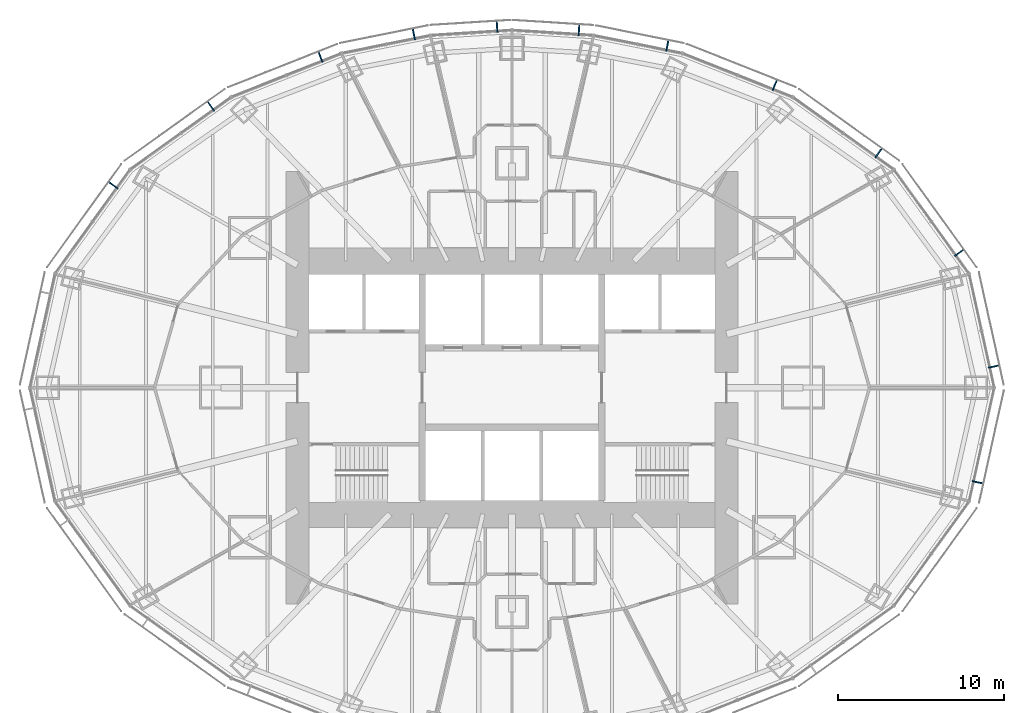
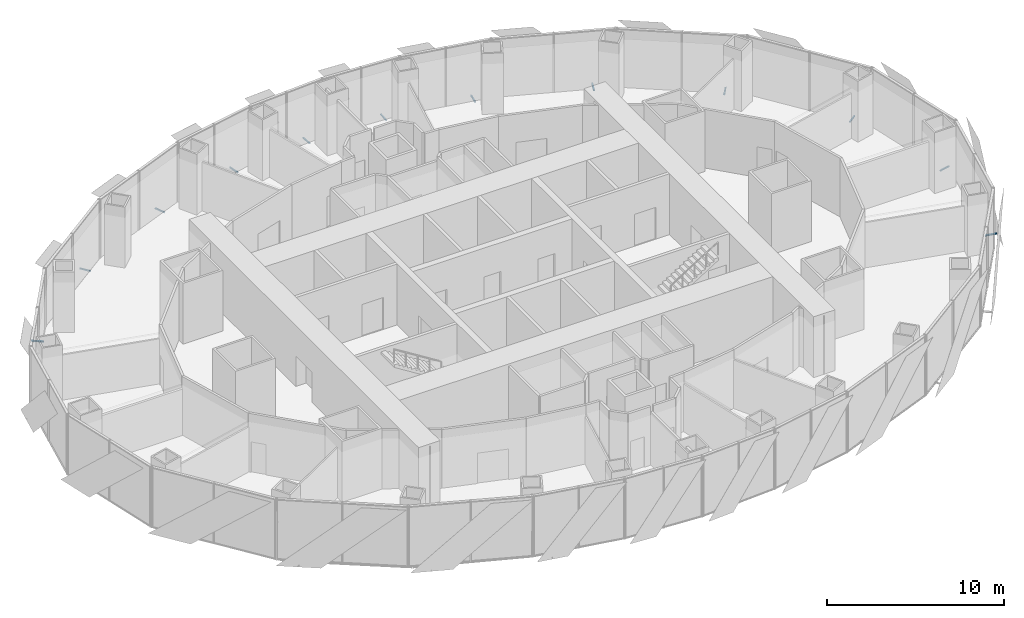
# One storey, part 14 of 17: 12 discrete accessories.
"""IFC4 building model written with IfcOpenShell, lengths in metres."""

from ifc_helpers import new_model, si_unit, direction, frame, origin, origin_2d, place, context, subcontext, project, spatial, rectangle, extrude, element, save


model = new_model("IFC4")

# Units and contexts
model_context = context("Model", 3, precision=1e-05, world=origin(), true_north=direction((0.0, 1.0)))
body_context = subcontext(model_context, "Body", "Model", "MODEL_VIEW")
ifc_project = project(units=[si_unit("LENGTHUNIT", "METRE"), si_unit("AREAUNIT", "SQUARE_METRE"), si_unit("VOLUMEUNIT", "CUBIC_METRE"), si_unit("PLANEANGLEUNIT", "RADIAN"), si_unit("MASSUNIT", "GRAM", prefix="KILO")], contexts=[model_context])

# Site, building, storey
site_placement = place(None, origin())
site = spatial("IfcSite", under=ifc_project, at=site_placement, CompositionType="ELEMENT")
building_placement = place(site_placement, origin())
building = spatial("IfcBuilding", under=site, at=building_placement, Name="Lantaw Convention Tower", CompositionType="ELEMENT")
storey_placement = place(building_placement, frame((0.0, 0.0, 155.199951171875)))
storey = spatial("IfcBuildingStorey", under=building, at=storey_placement, Name="L36", CompositionType="ELEMENT", Elevation=155.199951171875)

# Discrete accessories
for number, where, z_axis, x_axis, name in (
    (1, (28.98486328125, 1.269775390625, -0.114990234375), (0.0, 0.0, 1.0), (-0.215546166174, 0.9764936509, 0.0), "Screen bracket"),
    (2, (26.900146484375, 8.111572265625, -0.114990234375), (0.0, 0.0, 1.0), (-0.584512597221, 0.811384633629, 0.0), "Screen bracket"),
    (3, (22.044189453125, 14.10546875, -0.114990234375), (0.0, 0.0, 1.0), (-0.813208325995, 0.581972695693, 0.0), "Screen bracket"),
    (4, (15.802978515625, 18.18798828125, -0.114990234375), (0.0, 0.0, 1.0), (-0.929547687544, 0.368701907483, 0.0), "Screen bracket"),
    (5, (9.339599609375, 20.56005859375, -0.114990234375), (0.0, 0.0, 1.0), (-0.980301514912, 0.197506809659, 0.0), "Screen bracket"),
    (6, (4.027099609375, 21.505859375, -0.114990234375), (0.0, 0.0, 1.0), (-0.998022035978, 0.062865059466, 0.0), "Screen bracket"),
    (7, (-0.89794921875, 21.702880859375, -0.114990234375), (0.0, 0.0, 1.0), (-0.998022035978, -0.062865059466, 0.0), "Screen bracket"),
    (8, (-5.903076171875, 21.25244140625, -0.114990234375), (0.0, 0.0, 1.0), (-0.980301514912, -0.197506809659, 0.0), "Screen bracket"),
    (9, (-11.517822265625, 19.887939453125, -0.114990234375), (0.0, 0.0, 1.0), (-0.929547687544, -0.368701907483, 0.0), "Screen bracket"),
    (10, (-18.10791015625, 16.922607421875, -0.114990234375), (0.0, 0.0, 1.0), (-0.813208325995, -0.581972695693, 0.0), "Screen bracket"),
    (11, (-23.9765625, 12.169677734375, -0.114990234375), (0.0, 0.0, 1.0), (-0.584512597221, -0.811384633629, 0.0), "Screen bracket"),
    (12, (28.008056640625, -5.6953125, -0.114990234375), (0.0, 0.0, 1.0), (0.215546166174, 0.9764936509, 0.0), "Screen bracket"),
):
    element("IfcDiscreteAccessory", number, at=place(storey_placement, frame(where, z_axis=z_axis, x_axis=x_axis)), inside=storey, Name=name, PredefinedType="BRACKET", context=body_context, shape_type="SweptSolid", body=[
        extrude(rectangle(XDim=0.080078125, YDim=0.68798828125, at=origin_2d()), origin(), (0.0, 0.0, 1.0), 0.080078125),
    ])

save(model, "model.ifc")
